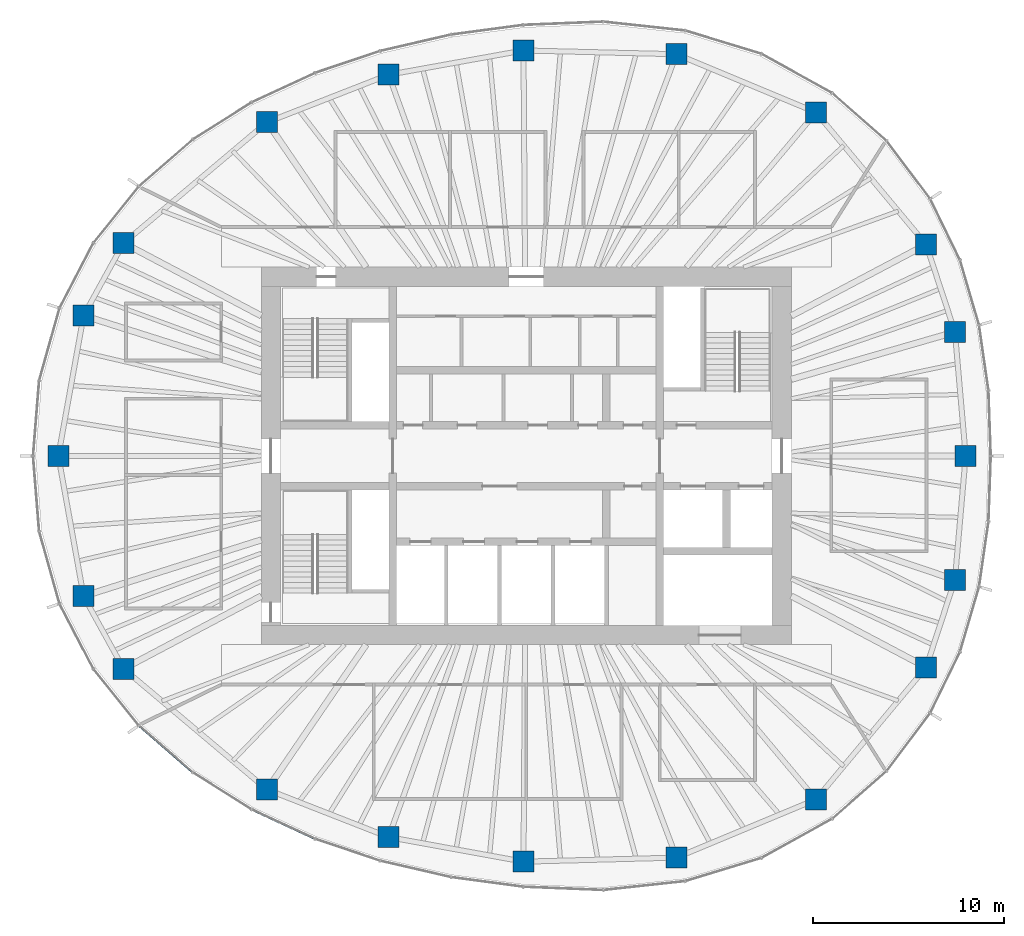
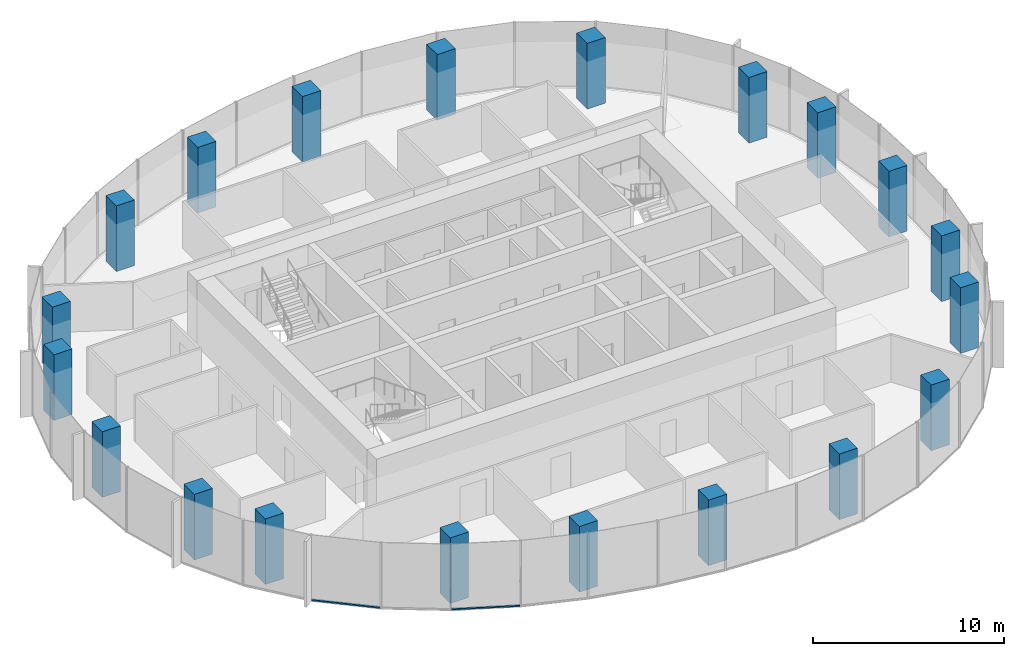
# One storey, part 1 of 11: 20 columns, 2 members, 2 elements without a shape of their own.
"""IFC4 building model written with IfcOpenShell, lengths in metres."""

from ifc_helpers import new_model, si_unit, direction, frame, origin, origin_2d, place, context, subcontext, project, spatial, rectangle, extrude, material, material_profile, profile_set, type_object, element, aggregate, save


model = new_model("IFC4")

# Units and contexts
model_context = context("Model", 3, precision=1e-05, world=origin(), true_north=direction((0.0, 1.0)))
body_context = subcontext(model_context, "Body", "Model", "MODEL_VIEW")
ifc_project = project(units=[si_unit("LENGTHUNIT", "METRE"), si_unit("AREAUNIT", "SQUARE_METRE"), si_unit("VOLUMEUNIT", "CUBIC_METRE"), si_unit("PLANEANGLEUNIT", "RADIAN"), si_unit("MASSUNIT", "GRAM", prefix="KILO")], contexts=[model_context])

# Site, building, storey
site_placement = place(None, origin())
site = spatial("IfcSite", under=ifc_project, at=site_placement, CompositionType="ELEMENT")
building_placement = place(site_placement, origin())
building = spatial("IfcBuilding", under=site, at=building_placement, Name="Ghaith Harvest Tower", CompositionType="ELEMENT")
storey_placement = place(building_placement, frame((0.0, 0.0, 279.60009765625)))
storey = spatial("IfcBuildingStorey", under=building, at=storey_placement, Name="L62", CompositionType="ELEMENT", Elevation=279.60009765625)

# Columns
ifc_material_1 = material(Name="Concrete C50/60", Category="concrete")
ifc_material_profile_1 = material_profile(ifc_material_1, rectangle(XDim=1.10009765625, YDim=1.10009765625, at=origin_2d()), Name="RC1100X1100")
ifc_profile_set_1 = profile_set([ifc_material_profile_1], Name="Concrete C50/60")
column_type = type_object("IfcColumnType", Name="TC7 RC1100X1100", PredefinedType="COLUMN", material=ifc_profile_set_1)
for number, where, z_axis, x_axis, name in (
    (1, (23.050048828125, 0.0, 0.0), (0.0, 0.0, 1.0), (1.0, 0.0, 0.0), "Perimeter column C01"),
    (2, (22.485107421875, 6.4990234375, 0.0), (0.0, 0.0, 1.0), (1.0, 0.0, 0.0), "Perimeter column C02"),
    (3, (20.97705078125, 11.087890625, 0.0), (0.0, 0.0, 1.0), (1.0, 0.0, 0.0), "Perimeter column C03"),
    (4, (15.197998046875, 18.02294921875, 0.0), (0.0, 0.0, 1.0), (1.0, 0.0, 0.0), "Perimeter column C04"),
    (5, (7.8779296875, 21.072021484375, 0.0), (0.0, 0.0, 1.0), (1.0, 0.0, 0.0), "Perimeter column C05"),
    (6, (-0.14599609375, 21.27099609375, 0.0), (0.0, 0.0, 1.0), (1.0, 0.0, 0.0), "Perimeter column C06"),
    (7, (-7.221923828125, 19.9970703125, 0.0), (0.0, 0.0, 1.0), (1.0, 0.0, 0.0), "Perimeter column C07"),
    (8, (-13.594970703125, 17.5048828125, 0.0), (0.0, 0.0, 1.0), (1.0, 0.0, 0.0), "Perimeter column C08"),
    (9, (-21.125, 11.166015625, 0.0), (0.0, 0.0, 1.0), (1.0, 0.0, 0.0), "Perimeter column C09"),
    (10, (-23.22412109375, 7.360107421875, 0.0), (0.0, 0.0, 1.0), (1.0, 0.0, 0.0), "Perimeter column C10"),
    (11, (-24.550048828125, 0.0, 0.0), (0.0, 0.0, 1.0), (1.0, 0.0, 0.0), "Perimeter column C11"),
    (12, (-23.22412109375, -7.360107421875, 0.0), (0.0, 0.0, 1.0), (1.0, 0.0, 0.0), "Perimeter column C12"),
    (13, (-21.125, -11.166015625, 0.0), (0.0, 0.0, 1.0), (1.0, 0.0, 0.0), "Perimeter column C13"),
    (14, (-13.594970703125, -17.5048828125, 0.0), (0.0, 0.0, 1.0), (1.0, 0.0, 0.0), "Perimeter column C14"),
    (15, (-7.221923828125, -19.9970703125, 0.0), (0.0, 0.0, 1.0), (1.0, 0.0, 0.0), "Perimeter column C15"),
    (16, (-0.14599609375, -21.285888671875, 0.0), (0.0, 0.0, 1.0), (1.0, 0.0, 0.0), "Perimeter column C16"),
    (17, (7.8779296875, -21.072021484375, 0.0), (0.0, 0.0, 1.0), (1.0, 0.0, 0.0), "Perimeter column C17"),
    (18, (15.197998046875, -18.02294921875, 0.0), (0.0, 0.0, 1.0), (1.0, 0.0, 0.0), "Perimeter column C18"),
    (19, (20.97705078125, -11.087890625, 0.0), (0.0, 0.0, 1.0), (1.0, 0.0, 0.0), "Perimeter column C19"),
    (20, (22.485107421875, -6.4990234375, 0.0), (0.0, 0.0, 1.0), (1.0, 0.0, 0.0), "Perimeter column C20"),
):
    element("IfcColumn", number, at=place(storey_placement, frame(where, z_axis=z_axis, x_axis=x_axis)), inside=storey, type_object=column_type, Name=name, PredefinedType="COLUMN", context=body_context, shape_type="SweptSolid", body=[
        extrude(rectangle(XDim=1.10009765625, YDim=1.10009765625, at=origin_2d()), origin(), (0.0, 0.0, 1.0), 4.199951171875),
    ])

# Curtain wall, member
ifc_material_2 = material(Name="Black anodised aluminium and fritted glass", Category="aluminium")
curtain_wall_type = type_object("IfcCurtainWallType", Name="CW-T CURTAIN WALL", PredefinedType="NOTDEFINED", material=ifc_material_2)
curtain_wall_1_placement = place(storey_placement, origin())
curtain_wall_1 = element("IfcCurtainWall", 21, at=curtain_wall_1_placement, inside=storey, type_object=curtain_wall_type, Name="Curtain wall CW-T bay 13 L62", PredefinedType="NOTDEFINED")
ifc_material_3 = material(Name="Aluminium, black anodised", Category="aluminium")
ifc_material_profile_2 = material_profile(ifc_material_3, rectangle(XDim=0.1201171875, YDim=0.080078125, at=origin_2d()), Name="CW-T TRANSOM 120x80")
ifc_profile_set_2 = profile_set([ifc_material_profile_2], Name="Aluminium, black anodised")
member_type = type_object("IfcMemberType", Name="CW-T TRANSOM 120x80", PredefinedType="USERDEFINED", material=ifc_profile_set_2)
member_1_placement = place(storey_placement, frame((-20.294189453125, -14.168212890625, 0.039794921875), z_axis=(0.754851889287, -0.65589528527, 0.0), x_axis=(0.65589528527, 0.754851889287, 0.0)))
member_1 = element("IfcMember", 22, at=member_1_placement, type_object=member_type, Name="CW-T transom 1 bay 13 L62", ObjectType="TRANSOM", PredefinedType="USERDEFINED", context=body_context, shape_type="SweptSolid", body=[
    extrude(rectangle(XDim=0.1201171875, YDim=0.080078125, at=origin_2d()), origin(), (0.0, 0.0, 1.0), 3.668701171875),
])
aggregate(curtain_wall_1, [member_1])

curtain_wall_2_placement = place(storey_placement, origin())
curtain_wall_2 = element("IfcCurtainWall", 23, at=curtain_wall_2_placement, inside=storey, type_object=curtain_wall_type, Name="Curtain wall CW-T bay 14 L62", PredefinedType="NOTDEFINED")
member_2_placement = place(storey_placement, frame((-14.36865234375, -18.564697265625, 0.039794921875), z_axis=(0.907472177056, -0.420112184862, 0.0), x_axis=(0.420112184862, 0.907472177056, 0.0)))
member_2 = element("IfcMember", 24, at=member_2_placement, type_object=member_type, Name="CW-T transom 1 bay 14 L62", ObjectType="TRANSOM", PredefinedType="USERDEFINED", context=body_context, shape_type="SweptSolid", body=[
    extrude(rectangle(XDim=0.1201171875, YDim=0.080078125, at=origin_2d()), origin(), (0.0, 0.0, 1.0), 3.597900390625),
])
aggregate(curtain_wall_2, [member_2])

save(model, "model.ifc")
